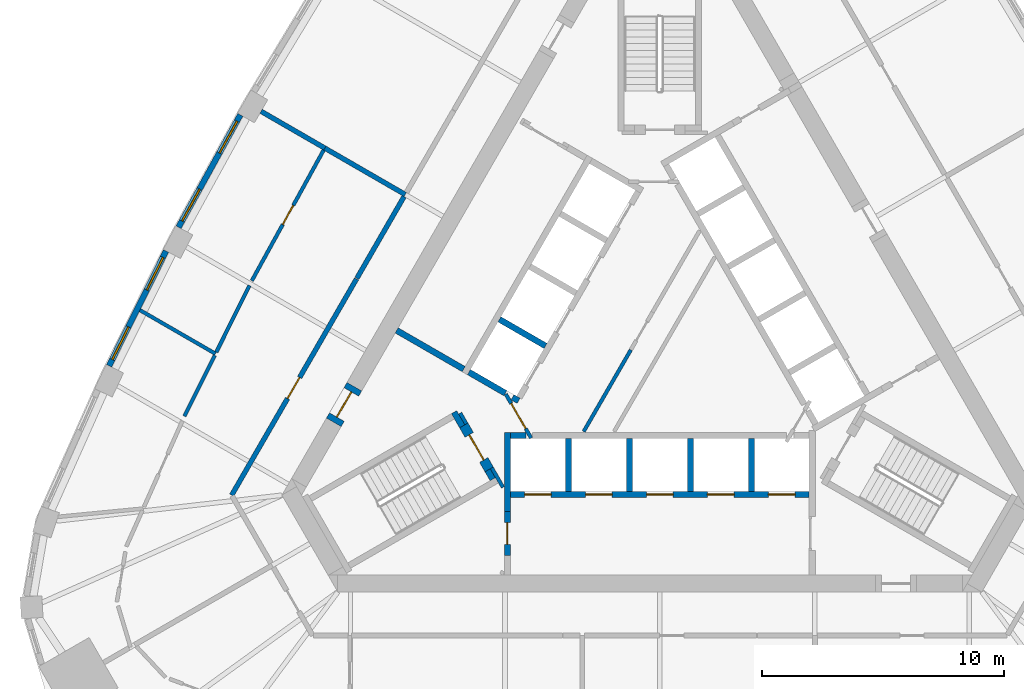
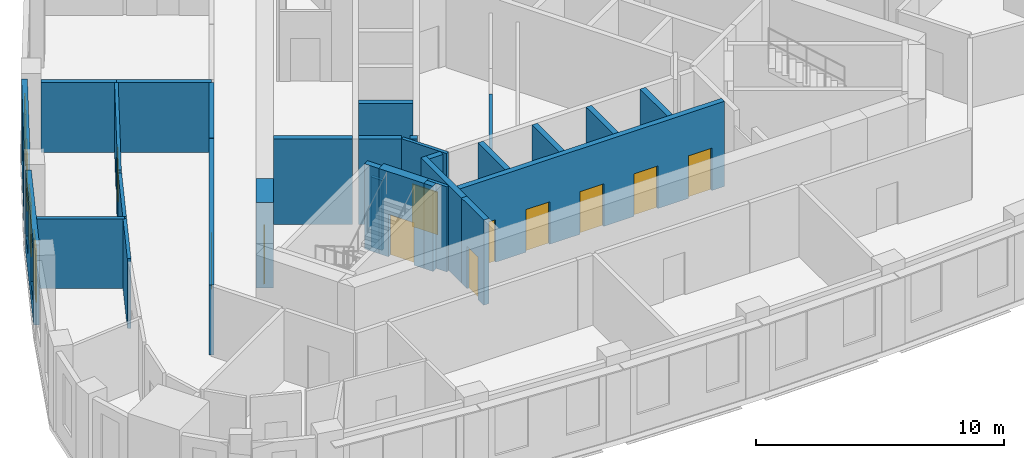
# One storey, part 4 of 10: 30 walls, 11 doors, 4 windows, 15 openings.
"""IFC4 building model written with IfcOpenShell, lengths in metres."""

from ifc_helpers import new_model, si_unit, direction, frame, frame_2d, origin, place, context, subcontext, project, spatial, rectangle, extrude, material, layer, layer_set, type_object, element, fill, save


model = new_model("IFC4")

# Units and contexts
model_context = context("Model", 3, precision=1e-05, world=origin(), true_north=direction((0.0, 1.0)))
body_context = subcontext(model_context, "Body", "Model", "MODEL_VIEW")
ifc_project = project(units=[si_unit("LENGTHUNIT", "METRE"), si_unit("AREAUNIT", "SQUARE_METRE"), si_unit("VOLUMEUNIT", "CUBIC_METRE"), si_unit("PLANEANGLEUNIT", "RADIAN"), si_unit("MASSUNIT", "GRAM", prefix="KILO")], contexts=[model_context])

# Site, building, storey
site_placement = place(None, origin())
site = spatial("IfcSite", under=ifc_project, at=site_placement, CompositionType="ELEMENT")
building_placement = place(site_placement, origin())
building = spatial("IfcBuilding", under=site, at=building_placement, Name="Mestral Congress Tower", CompositionType="ELEMENT")
storey_placement = place(building_placement, frame((0.0, 0.0, 218.39990234375)))
storey = spatial("IfcBuildingStorey", under=building, at=storey_placement, Name="L51", CompositionType="ELEMENT", Elevation=218.39990234375)

# Walls
ifc_material_1 = material(Name="Fire-rated board partition")
ifc_layer_1 = layer(ifc_material_1, 0.14990234375)
ifc_layer_set_1 = layer_set([ifc_layer_1], Name="Fire-rated board partition")
wall_type_1 = type_object("IfcWallType", Name="Core partition 150", PredefinedType="PARTITIONING", material=ifc_layer_set_1)
wall_1_placement = place(storey_placement, frame((-8.251953125, -2.958251953125, 0.0), z_axis=(0.0, 0.0, 1.0), x_axis=(0.500174715838, -0.865924508047, 0.0)))
element("IfcWall", 1, at=wall_1_placement, inside=storey, type_object=wall_type_1, Name="L51 core wall", PredefinedType="PARTITIONING", context=body_context, shape_type="SweptSolid", body=[
    extrude(rectangle(XDim=0.513916015625, YDim=0.14990234375, at=frame_2d((0.2568359375, 0.0))), origin(), (0.0, 0.0, 1.0), 3.4501953125),
])
wall_2_placement = place(storey_placement, frame((-3.146728515625, -3.71826171875, 0.0), z_axis=(0.0, 0.0, 1.0), x_axis=(0.500010131483, 0.866019554291, 0.0)))
element("IfcWall", 2, at=wall_2_placement, inside=storey, type_object=wall_type_1, Name="L51 core wall", PredefinedType="PARTITIONING", context=body_context, shape_type="SweptSolid", body=[
    extrude(rectangle(XDim=3.8935546875, YDim=0.14990234375, at=frame_2d((1.94677734375, 0.0))), origin(), (0.0, 0.0, 1.0), 3.4501953125),
])

# Wall, opening, door
ifc_material_2 = material(Name="Concrete C60/75", Category="concrete")
ifc_layer_2 = layer(ifc_material_2, 0.699951171875)
ifc_layer_set_2 = layer_set([ifc_layer_2], Name="Concrete C60/75")
wall_type_2 = type_object("IfcWallType", Name="Core wall RC 700", PredefinedType="SOLIDWALL", material=ifc_layer_set_2)
wall_3_placement = place(storey_placement, frame((-13.474853515625, -3.339111328125, 0.0), z_axis=(0.0, 0.0, 1.0), x_axis=(0.499954529098, 0.86605165483, 0.0)))
wall_3 = element("IfcWall", 3, at=wall_3_placement, inside=storey, type_object=wall_type_2, Name="L51 door wall", PredefinedType="SOLIDWALL", context=body_context, shape_type="SweptSolid", body=[
    extrude(rectangle(XDim=1.699951171875, YDim=0.699951171875, at=frame_2d((0.85009765625, 0.0))), origin(), (0.0, 0.0, 1.0), 4.2001953125),
])
opening_1_placement = place(wall_3_placement, frame((0.25, 0.0, 0.0)))
opening_1 = element("IfcOpeningElement", 4, at=opening_1_placement, cuts=wall_3, Name="Opening XD3", PredefinedType="OPENING", context=body_context, shape_type="SweptSolid", body=[
    extrude(rectangle(XDim=1.199951171875, YDim=2.10009765625, at=frame_2d((0.60009765625, 1.050048828125))), frame((0.0, 0.35986328125, 0.0), z_axis=(0.0, -1.0, 0.0), x_axis=(1.0, 0.0, 0.0)), (0.0, 0.0, 1.0), 0.719970703125),
])
ifc_material_3 = material(Name="Fire-rated steel door set", Category="steel")
door_type_1 = type_object("IfcDoorType", Name="Core door XD 1200x2100", OperationType="SINGLE_SWING_LEFT", PredefinedType="DOOR", material=ifc_material_3)
door_1_placement = place(opening_1_placement, origin())
door_1 = element("IfcDoor", 5, at=door_1_placement, inside=storey, type_object=door_type_1, Name="Door XD3", OperationType="SINGLE_SWING_LEFT", OverallHeight=2.10009765625, OverallWidth=1.199951171875, PredefinedType="DOOR", context=body_context, shape_type="SweptSolid", body=[
    extrude(rectangle(XDim=1.199951171875, YDim=2.10009765625, at=frame_2d((0.60009765625, 1.050048828125))), frame((0.0, 0.02490234375, 0.0), z_axis=(0.0, -1.0, 0.0), x_axis=(1.0, 0.0, 0.0)), (0.0, 0.0, 1.0), 0.050048828125),
])
fill(opening_1, door_1)

# Wall, openings, windows
ifc_material_4 = material(Name="Precast concrete C40/50 with limestone facing", Category="masonry")
ifc_layer_3 = layer(ifc_material_4, 0.239990234375)
ifc_layer_set_3 = layer_set([ifc_layer_3], Name="Precast concrete C40/50 with limestone facing")
wall_type_3 = type_object("IfcWallType", Name="Facade stone wall 240", PredefinedType="SOLIDWALL", material=ifc_layer_set_3)
wall_4_placement = place(storey_placement, frame((-17.338134765625, 9.367919921875, 0.0), z_axis=(0.0, 0.0, 1.0), x_axis=(-0.481925825015, -0.876212017256, 0.0)))
wall_4 = element("IfcWall", 6, at=wall_4_placement, inside=storey, type_object=wall_type_3, Name="Facade wall F2-03", PredefinedType="SOLIDWALL", context=body_context, shape_type="SweptSolid", body=[
    extrude(rectangle(XDim=5.298583984375, YDim=0.239990234375, at=frame_2d((2.6494140625, 0.0))), origin(), (0.0, 0.0, 1.0), 3.9501953125),
])
opening_2_placement = place(wall_4_placement, frame((0.294677734375, 0.0, 0.89990234375)))
opening_2 = element("IfcOpeningElement", 7, at=opening_2_placement, cuts=wall_4, Name="Opening W4", PredefinedType="OPENING", context=body_context, shape_type="SweptSolid", body=[
    extrude(rectangle(XDim=1.5, YDim=2.550048828125, at=frame_2d((0.75, 1.27490234375))), frame((0.0, 0.1298828125, 0.0), z_axis=(0.0, -1.0, 0.0), x_axis=(1.0, 0.0, 0.0)), (0.0, 0.0, 1.0), 0.260009765625),
])
opening_3_placement = place(wall_4_placement, frame((3.503662109375, 0.0, 0.89990234375)))
opening_3 = element("IfcOpeningElement", 8, at=opening_3_placement, cuts=wall_4, Name="Opening W4", PredefinedType="OPENING", context=body_context, shape_type="SweptSolid", body=[
    extrude(rectangle(XDim=1.5, YDim=2.550048828125, at=frame_2d((0.75, 1.27490234375))), frame((0.0, 0.1298828125, 0.0), z_axis=(0.0, -1.0, 0.0), x_axis=(1.0, 0.0, 0.0)), (0.0, 0.0, 1.0), 0.260009765625),
])
ifc_material_5 = material(Name="Clear low-emissivity double glazing", Category="glass")
window_type = type_object("IfcWindowType", Name="Facade punched window 1500 x 2550 sill 900", PartitioningType="SINGLE_PANEL", PredefinedType="WINDOW", material=ifc_material_5)
window_1_placement = place(opening_2_placement, origin())
window_1 = element("IfcWindow", 9, at=window_1_placement, inside=storey, type_object=window_type, Name="Window F2-03a", OverallHeight=2.550048828125, OverallWidth=1.5, PartitioningType="SINGLE_PANEL", PredefinedType="WINDOW", context=body_context, shape_type="SweptSolid", body=[
    extrude(rectangle(XDim=1.5, YDim=2.550048828125, at=frame_2d((0.75, 1.27490234375))), frame((0.0, 0.0400390625, 0.0), z_axis=(0.0, -1.0, 0.0), x_axis=(1.0, 0.0, 0.0)), (0.0, 0.0, 1.0), 0.06005859375),
])
fill(opening_2, window_1)
window_2_placement = place(opening_3_placement, origin())
window_2 = element("IfcWindow", 10, at=window_2_placement, inside=storey, type_object=window_type, Name="Window F2-03b", OverallHeight=2.550048828125, OverallWidth=1.5, PartitioningType="SINGLE_PANEL", PredefinedType="WINDOW", context=body_context, shape_type="SweptSolid", body=[
    extrude(rectangle(XDim=1.5, YDim=2.550048828125, at=frame_2d((0.75, 1.27490234375))), frame((0.0, 0.0400390625, 0.0), z_axis=(0.0, -1.0, 0.0), x_axis=(1.0, 0.0, 0.0)), (0.0, 0.0, 1.0), 0.06005859375),
])
fill(opening_3, window_2)

wall_5_placement = place(storey_placement, frame((-20.407470703125, 3.739501953125, 0.0), z_axis=(0.0, 0.0, 1.0), x_axis=(-0.445129582031, -0.895466166419, 0.0)))
wall_5 = element("IfcWall", 11, at=wall_5_placement, inside=storey, type_object=wall_type_3, Name="Facade wall F2-04", PredefinedType="SOLIDWALL", context=body_context, shape_type="SweptSolid", body=[
    extrude(rectangle(XDim=5.29833984375, YDim=0.239990234375, at=frame_2d((2.649169921875, 0.0))), origin(), (0.0, 0.0, 1.0), 3.9501953125),
])
opening_4_placement = place(wall_5_placement, frame((0.294677734375, 0.0, 0.89990234375)))
opening_4 = element("IfcOpeningElement", 12, at=opening_4_placement, cuts=wall_5, Name="Opening W4", PredefinedType="OPENING", context=body_context, shape_type="SweptSolid", body=[
    extrude(rectangle(XDim=1.5, YDim=2.550048828125, at=frame_2d((0.75, 1.27490234375))), frame((0.0, 0.1298828125, 0.0), z_axis=(0.0, -1.0, 0.0), x_axis=(1.0, 0.0, 0.0)), (0.0, 0.0, 1.0), 0.260009765625),
])
opening_5_placement = place(wall_5_placement, frame((3.503662109375, 0.0, 0.89990234375)))
opening_5 = element("IfcOpeningElement", 13, at=opening_5_placement, cuts=wall_5, Name="Opening W4", PredefinedType="OPENING", context=body_context, shape_type="SweptSolid", body=[
    extrude(rectangle(XDim=1.5, YDim=2.550048828125, at=frame_2d((0.75, 1.27490234375))), frame((0.0, 0.1298828125, 0.0), z_axis=(0.0, -1.0, 0.0), x_axis=(1.0, 0.0, 0.0)), (0.0, 0.0, 1.0), 0.260009765625),
])
window_3_placement = place(opening_4_placement, origin())
window_3 = element("IfcWindow", 14, at=window_3_placement, inside=storey, type_object=window_type, Name="Window F2-04a", OverallHeight=2.550048828125, OverallWidth=1.5, PartitioningType="SINGLE_PANEL", PredefinedType="WINDOW", context=body_context, shape_type="SweptSolid", body=[
    extrude(rectangle(XDim=1.5, YDim=2.550048828125, at=frame_2d((0.75, 1.27490234375))), frame((0.0, 0.0400390625, 0.0), z_axis=(0.0, -1.0, 0.0), x_axis=(1.0, 0.0, 0.0)), (0.0, 0.0, 1.0), 0.06005859375),
])
fill(opening_4, window_3)
window_4_placement = place(opening_5_placement, origin())
window_4 = element("IfcWindow", 15, at=window_4_placement, inside=storey, type_object=window_type, Name="Window F2-04b", OverallHeight=2.550048828125, OverallWidth=1.5, PartitioningType="SINGLE_PANEL", PredefinedType="WINDOW", context=body_context, shape_type="SweptSolid", body=[
    extrude(rectangle(XDim=1.5, YDim=2.550048828125, at=frame_2d((0.75, 1.27490234375))), frame((0.0, 0.0400390625, 0.0), z_axis=(0.0, -1.0, 0.0), x_axis=(1.0, 0.0, 0.0)), (0.0, 0.0, 1.0), 0.06005859375),
])
fill(opening_5, window_4)

# Wall
ifc_material_6 = material(Name="Plasterboard partition on steel studs", Category="steel")
ifc_layer_4 = layer(ifc_material_6, 0.14990234375)
ifc_layer_set_4 = layer_set([ifc_layer_4], Name="Plasterboard partition on steel studs")
wall_type_4 = type_object("IfcWallType", Name="Office partition 150", PredefinedType="PARTITIONING", material=ifc_layer_set_4)
wall_6_placement = place(storey_placement, frame((-18.36328125, -0.505859375, 0.0), z_axis=(0.0, 0.0, 1.0), x_axis=(-0.866048087663, 0.499960708312, 0.0)))
element("IfcWall", 16, at=wall_6_placement, inside=storey, type_object=wall_type_4, Name="Partition", PredefinedType="PARTITIONING", context=body_context, shape_type="SweptSolid", body=[
    extrude(rectangle(XDim=3.607177734375, YDim=0.14990234375, at=frame_2d((1.8037109375, 0.0))), origin(), (0.0, 0.0, 1.0), 3.4501953125),
])

# Wall, opening, door
wall_7_placement = place(storey_placement, frame((-16.86279296875, 2.5126953125, 0.0), z_axis=(0.0, 0.0, 1.0), x_axis=(0.48192483879, 0.876212559689, 0.0)))
wall_7 = element("IfcWall", 17, at=wall_7_placement, inside=storey, type_object=wall_type_4, Name="Partition", PredefinedType="PARTITIONING", context=body_context, shape_type="SweptSolid", body=[
    extrude(rectangle(XDim=6.15673828125, YDim=0.14990234375, at=frame_2d((3.078369140625, 0.0))), origin(), (0.0, 0.0, 1.0), 3.4501953125),
])
opening_6_placement = place(wall_7_placement, frame((2.65673828125, 0.0, 0.0)))
opening_6 = element("IfcOpeningElement", 18, at=opening_6_placement, cuts=wall_7, Name="Opening O07-013", PredefinedType="OPENING", context=body_context, shape_type="SweptSolid", body=[
    extrude(rectangle(XDim=0.89990234375, YDim=2.10009765625, at=frame_2d((0.449951171875, 1.050048828125))), frame((0.0, 0.0849609375, 0.0), z_axis=(0.0, -1.0, 0.0), x_axis=(1.0, 0.0, 0.0)), (0.0, 0.0, 1.0), 0.169921875),
])
ifc_material_7 = material(Name="Timber door set", Category="wood")
door_type_2 = type_object("IfcDoorType", Name="Office door 900x2100", OperationType="SINGLE_SWING_LEFT", PredefinedType="DOOR", material=ifc_material_7)
door_2_placement = place(opening_6_placement, origin())
door_2 = element("IfcDoor", 19, at=door_2_placement, inside=storey, type_object=door_type_2, Name="Door O07-013", OperationType="SINGLE_SWING_RIGHT", OverallHeight=2.10009765625, OverallWidth=0.89990234375, PredefinedType="DOOR", context=body_context, shape_type="SweptSolid", body=[
    extrude(rectangle(XDim=0.89990234375, YDim=2.10009765625, at=frame_2d((0.449951171875, 1.050048828125))), frame((0.0, 0.02490234375, 0.0), z_axis=(0.0, -1.0, 0.0), x_axis=(1.0, 0.0, 0.0)), (0.0, 0.0, 1.0), 0.050048828125),
])
fill(opening_6, door_2)

# Walls
wall_8_placement = place(storey_placement, frame((-16.958251953125, 2.32080078125, 0.0), z_axis=(0.0, 0.0, 1.0), x_axis=(-0.445184199442, -0.895439014432, 0.0)))
element("IfcWall", 20, at=wall_8_placement, inside=storey, type_object=wall_type_4, Name="Partition", PredefinedType="PARTITIONING", context=body_context, shape_type="SweptSolid", body=[
    extrude(rectangle(XDim=3.08154296875, YDim=0.14990234375, at=frame_2d((1.540771484375, 0.0))), origin(), (0.0, 0.0, 1.0), 3.4501953125),
])
wall_9_placement = place(storey_placement, frame((-18.39697265625, -0.572998046875, 0.0), z_axis=(0.0, 0.0, 1.0), x_axis=(-0.445162501923, -0.89544980143, 0.0)))
element("IfcWall", 21, at=wall_9_placement, inside=storey, type_object=wall_type_4, Name="Partition", PredefinedType="PARTITIONING", context=body_context, shape_type="SweptSolid", body=[
    extrude(rectangle(XDim=2.810791015625, YDim=0.14990234375, at=frame_2d((1.4052734375, 0.0))), origin(), (0.0, 0.0, 1.0), 3.4501953125),
])
ifc_material_8 = material(Name="Dense masonry wall, plastered", Category="masonry")
ifc_layer_5 = layer(ifc_material_8, 0.199951171875)
ifc_layer_set_5 = layer_set([ifc_layer_5], Name="Dense masonry wall, plastered")
wall_type_5 = type_object("IfcWallType", Name="Office tenancy wall 200", PredefinedType="PARTITIONING", material=ifc_layer_set_5)
wall_10_placement = place(storey_placement, frame((-13.84423828125, 7.992919921875, 0.0), z_axis=(0.0, 0.0, 1.0), x_axis=(-0.866003976688, 0.500037110984, 0.0)))
element("IfcWall", 22, at=wall_10_placement, inside=storey, type_object=wall_type_5, Name="Tenancy wall", PredefinedType="PARTITIONING", context=body_context, shape_type="SweptSolid", body=[
    extrude(rectangle(XDim=3.044677734375, YDim=0.199951171875, at=frame_2d((1.5224609375, 0.0))), origin(), (0.0, 0.0, 1.0), 3.4501953125),
])
wall_11_placement = place(storey_placement, frame((-10.522216796875, 6.074951171875, 0.0), z_axis=(0.0, 0.0, 1.0), x_axis=(-0.866002601515, 0.500039492609, 0.0)))
element("IfcWall", 23, at=wall_11_placement, inside=storey, type_object=wall_type_5, Name="Tenancy wall", PredefinedType="PARTITIONING", context=body_context, shape_type="SweptSolid", body=[
    extrude(rectangle(XDim=3.843994140625, YDim=0.199951171875, at=frame_2d((1.921875, 0.0))), origin(), (0.0, 0.0, 1.0), 3.4501953125),
])
wall_12_placement = place(storey_placement, frame((-10.572265625, 5.98828125, 0.0), z_axis=(0.0, 0.0, 1.0), x_axis=(-0.499997012787, -0.866027128446, 0.0)))
element("IfcWall", 24, at=wall_12_placement, inside=storey, type_object=wall_type_5, Name="Tenancy wall", PredefinedType="PARTITIONING", context=body_context, shape_type="SweptSolid", body=[
    extrude(rectangle(XDim=3.89990234375, YDim=0.199951171875, at=frame_2d((1.949951171875, 0.0))), origin(), (0.0, 0.0, 1.0), 3.4501953125),
])

# Wall, opening, door
wall_13_placement = place(storey_placement, frame((-12.537109375, 2.5849609375, 0.0), z_axis=(0.0, 0.0, 1.0), x_axis=(-0.500002393198, -0.866024022066, 0.0)))
wall_13 = element("IfcWall", 25, at=wall_13_placement, inside=storey, type_object=wall_type_5, Name="Tenancy wall", PredefinedType="PARTITIONING", context=body_context, shape_type="SweptSolid", body=[
    extrude(rectangle(XDim=10.3173828125, YDim=0.199951171875, at=frame_2d((5.15869140625, 0.0))), origin(), (0.0, 0.0, 1.0), 3.4501953125),
])
opening_7_placement = place(wall_13_placement, frame((4.699951171875, 0.0, 0.0)))
opening_7 = element("IfcOpeningElement", 26, at=opening_7_placement, cuts=wall_13, Name="Opening O07-016", PredefinedType="OPENING", context=body_context, shape_type="SweptSolid", body=[
    extrude(rectangle(XDim=1.0, YDim=2.10009765625, at=frame_2d((0.5, 1.050048828125))), frame((0.0, 0.10986328125, 0.0), z_axis=(0.0, -1.0, 0.0), x_axis=(1.0, 0.0, 0.0)), (0.0, 0.0, 1.0), 0.219970703125),
])
ifc_material_9 = material(Name="Fire-rated timber door set", Category="wood")
door_type_3 = type_object("IfcDoorType", Name="Office tenancy entrance door 1000x2100", OperationType="SINGLE_SWING_LEFT", PredefinedType="DOOR", material=ifc_material_9)
door_3_placement = place(opening_7_placement, origin())
door_3 = element("IfcDoor", 27, at=door_3_placement, inside=storey, type_object=door_type_3, Name="Door O07-016", OperationType="SINGLE_SWING_RIGHT", OverallHeight=2.10009765625, OverallWidth=1.0, PredefinedType="DOOR", context=body_context, shape_type="SweptSolid", body=[
    extrude(rectangle(XDim=1.0, YDim=2.10009765625, at=frame_2d((0.5, 1.050048828125))), frame((0.0, 0.02490234375, 0.0), z_axis=(0.0, -1.0, 0.0), x_axis=(1.0, 0.0, 0.0)), (0.0, 0.0, 1.0), 0.050048828125),
])
fill(opening_7, door_3)

# Walls
ifc_layer_6 = layer(ifc_material_2, 0.25)
ifc_layer_set_6 = layer_set([ifc_layer_6], Name="Concrete C60/75")
wall_type_6 = type_object("IfcWallType", Name="Shaft wall RC 250", PredefinedType="SOLIDWALL", material=ifc_layer_set_6)
for number, where, z_axis, x_axis, name in (
    (28, (3.780029296875, -4.0, 0.0), (0.0, 0.0, 1.0), (0.0, -1.0, 0.0), "L51 core wall"),
    (29, (1.260009765625, -4.0, 0.0), (0.0, 0.0, 1.0), (0.0, -1.0, 0.0), "L51 core wall"),
    (30, (-1.260009765625, -4.0, 0.0), (0.0, 0.0, 1.0), (0.0, -1.0, 0.0), "L51 core wall"),
    (31, (-3.780029296875, -4.0, 0.0), (0.0, 0.0, 1.0), (0.0, -1.0, 0.0), "L51 core wall"),
):
    element("IfcWall", number, at=place(storey_placement, frame(where, z_axis=z_axis, x_axis=x_axis)), inside=storey, type_object=wall_type_6, Name=name, PredefinedType="SOLIDWALL", context=body_context, shape_type="SweptSolid", body=[
        extrude(rectangle(XDim=2.199951171875, YDim=0.25, at=frame_2d((1.10009765625, 0.0))), origin(), (0.0, 0.0, 1.0), 4.2001953125),
    ])
wall_14_placement = place(storey_placement, frame((-6.300048828125, -7.033447265625, 0.0), z_axis=(0.0, 0.0, 1.0), x_axis=(0.0, 1.0, 0.0)))
element("IfcWall", 32, at=wall_14_placement, inside=storey, type_object=wall_type_6, Name="L51 core wall", PredefinedType="SOLIDWALL", context=body_context, shape_type="SweptSolid", body=[
    extrude(rectangle(XDim=3.283447265625, YDim=0.25, at=frame_2d((1.6416015625, 0.0))), origin(), (0.0, 0.0, 1.0), 4.2001953125),
])
wall_15_placement = place(storey_placement, frame((-6.175048828125, -3.875, 0.0), z_axis=(0.0, 0.0, 1.0), x_axis=(1.0, 0.0, 0.0)))
element("IfcWall", 33, at=wall_15_placement, inside=storey, type_object=wall_type_6, Name="L51 core wall", PredefinedType="SOLIDWALL", context=body_context, shape_type="SweptSolid", body=[
    extrude(rectangle(XDim=0.63671875, YDim=0.25, at=frame_2d((0.318359375, 0.0))), origin(), (0.0, 0.0, 1.0), 4.2001953125),
])
wall_16_placement = place(storey_placement, frame((-4.72412109375, -0.182373046875, 0.0), z_axis=(0.0, 0.0, 1.0), x_axis=(-0.866008176907, 0.50002983664, 0.0)))
element("IfcWall", 34, at=wall_16_placement, inside=storey, type_object=wall_type_6, Name="L51 core wall", PredefinedType="SOLIDWALL", context=body_context, shape_type="SweptSolid", body=[
    extrude(rectangle(XDim=2.199951171875, YDim=0.25, at=frame_2d((1.10009765625, 0.0))), origin(), (0.0, 0.0, 1.0), 4.2001953125),
])
wall_17_placement = place(storey_placement, frame((-6.088134765625, -2.3046875, 0.0), z_axis=(0.0, 0.0, 1.0), x_axis=(0.866059450854, -0.499941024108, 0.0)))
element("IfcWall", 35, at=wall_17_placement, inside=storey, type_object=wall_type_6, Name="L51 core wall", PredefinedType="SOLIDWALL", context=body_context, shape_type="SweptSolid", body=[
    extrude(rectangle(XDim=0.2900390625, YDim=0.25, at=frame_2d((0.14501953125, 0.0))), origin(), (0.0, 0.0, 1.0), 4.2001953125),
])
wall_18_placement = place(storey_placement, frame((-7.889404296875, -1.2646484375, 0.0), z_axis=(0.0, 0.0, 1.0), x_axis=(0.865986741702, -0.500066958712, 0.0)))
element("IfcWall", 36, at=wall_18_placement, inside=storey, type_object=wall_type_6, Name="L51 core wall", PredefinedType="SOLIDWALL", context=body_context, shape_type="SweptSolid", body=[
    extrude(rectangle(XDim=1.738037109375, YDim=0.25, at=frame_2d((0.869140625, 0.0))), origin(), (0.0, 0.0, 1.0), 4.2001953125),
])
wall_19_placement = place(storey_placement, frame((-8.10595703125, -1.139892578125, 0.0), z_axis=(0.0, 0.0, 1.0), x_axis=(-0.866008981251, 0.500028443584, 0.0)))
element("IfcWall", 37, at=wall_19_placement, inside=storey, type_object=wall_type_6, Name="L51 core wall", PredefinedType="SOLIDWALL", context=body_context, shape_type="SweptSolid", body=[
    extrude(rectangle(XDim=3.199951171875, YDim=0.25, at=frame_2d((1.60009765625, 0.0))), origin(), (0.0, 0.0, 1.0), 4.2001953125),
])

# Wall, openings, doors
wall_20_placement = place(storey_placement, frame((-6.175048828125, -6.324951171875, 0.0), z_axis=(0.0, 0.0, 1.0), x_axis=(1.0, 0.0, 0.0)))
wall_20 = element("IfcWall", 38, at=wall_20_placement, inside=storey, type_object=wall_type_6, Name="L51 door wall", PredefinedType="SOLIDWALL", context=body_context, shape_type="SweptSolid", body=[
    extrude(rectangle(XDim=12.35009765625, YDim=0.25, at=frame_2d((6.175048828125, 0.0))), origin(), (0.0, 0.0, 1.0), 4.2001953125),
])
opening_8_placement = place(wall_20_placement, frame((0.5849609375, 0.0, 0.0)))
opening_8 = element("IfcOpeningElement", 39, at=opening_8_placement, cuts=wall_20, Name="Opening LD-SOB1", PredefinedType="OPENING", context=body_context, shape_type="SweptSolid", body=[
    extrude(rectangle(XDim=1.10009765625, YDim=2.10009765625, at=frame_2d((0.550048828125, 1.050048828125))), frame((0.0, 0.135009765625, 0.0), z_axis=(0.0, -1.0, 0.0), x_axis=(1.0, 0.0, 0.0)), (0.0, 0.0, 1.0), 0.27001953125),
])
opening_9_placement = place(wall_20_placement, frame((3.10498046875, 0.0, 0.0)))
opening_9 = element("IfcOpeningElement", 40, at=opening_9_placement, cuts=wall_20, Name="Opening LD-SOB2", PredefinedType="OPENING", context=body_context, shape_type="SweptSolid", body=[
    extrude(rectangle(XDim=1.10009765625, YDim=2.10009765625, at=frame_2d((0.550048828125, 1.050048828125))), frame((0.0, 0.135009765625, 0.0), z_axis=(0.0, -1.0, 0.0), x_axis=(1.0, 0.0, 0.0)), (0.0, 0.0, 1.0), 0.27001953125),
])
opening_10_placement = place(wall_20_placement, frame((5.625, 0.0, 0.0)))
opening_10 = element("IfcOpeningElement", 41, at=opening_10_placement, cuts=wall_20, Name="Opening LD-SOB3", PredefinedType="OPENING", context=body_context, shape_type="SweptSolid", body=[
    extrude(rectangle(XDim=1.10009765625, YDim=2.10009765625, at=frame_2d((0.550048828125, 1.050048828125))), frame((0.0, 0.135009765625, 0.0), z_axis=(0.0, -1.0, 0.0), x_axis=(1.0, 0.0, 0.0)), (0.0, 0.0, 1.0), 0.27001953125),
])
opening_11_placement = place(wall_20_placement, frame((8.14501953125, 0.0, 0.0)))
opening_11 = element("IfcOpeningElement", 42, at=opening_11_placement, cuts=wall_20, Name="Opening LD-SOB4", PredefinedType="OPENING", context=body_context, shape_type="SweptSolid", body=[
    extrude(rectangle(XDim=1.10009765625, YDim=2.10009765625, at=frame_2d((0.550048828125, 1.050048828125))), frame((0.0, 0.135009765625, 0.0), z_axis=(0.0, -1.0, 0.0), x_axis=(1.0, 0.0, 0.0)), (0.0, 0.0, 1.0), 0.27001953125),
])
opening_12_placement = place(wall_20_placement, frame((10.6650390625, 0.0, 0.0)))
opening_12 = element("IfcOpeningElement", 43, at=opening_12_placement, cuts=wall_20, Name="Opening LD-SOB5", PredefinedType="OPENING", context=body_context, shape_type="SweptSolid", body=[
    extrude(rectangle(XDim=1.10009765625, YDim=2.10009765625, at=frame_2d((0.550048828125, 1.050048828125))), frame((0.0, 0.135009765625, 0.0), z_axis=(0.0, -1.0, 0.0), x_axis=(1.0, 0.0, 0.0)), (0.0, 0.0, 1.0), 0.27001953125),
])
door_type_4 = type_object("IfcDoorType", Name="Core door LD 1100x2100", OperationType="DOUBLE_DOOR_SLIDING", PredefinedType="DOOR", material=ifc_material_3)
door_4_placement = place(opening_8_placement, origin())
door_4 = element("IfcDoor", 44, at=door_4_placement, inside=storey, type_object=door_type_4, Name="Door LD-SOB1", OperationType="DOUBLE_DOOR_SLIDING", OverallHeight=2.10009765625, OverallWidth=1.10009765625, PredefinedType="DOOR", context=body_context, shape_type="SweptSolid", body=[
    extrude(rectangle(XDim=1.10009765625, YDim=2.10009765625, at=frame_2d((0.550048828125, 1.050048828125))), frame((0.0, 0.02490234375, 0.0), z_axis=(0.0, -1.0, 0.0), x_axis=(1.0, 0.0, 0.0)), (0.0, 0.0, 1.0), 0.050048828125),
])
fill(opening_8, door_4)
door_5_placement = place(opening_9_placement, origin())
door_5 = element("IfcDoor", 45, at=door_5_placement, inside=storey, type_object=door_type_4, Name="Door LD-SOB2", OperationType="DOUBLE_DOOR_SLIDING", OverallHeight=2.10009765625, OverallWidth=1.10009765625, PredefinedType="DOOR", context=body_context, shape_type="SweptSolid", body=[
    extrude(rectangle(XDim=1.10009765625, YDim=2.10009765625, at=frame_2d((0.550048828125, 1.050048828125))), frame((0.0, 0.02490234375, 0.0), z_axis=(0.0, -1.0, 0.0), x_axis=(1.0, 0.0, 0.0)), (0.0, 0.0, 1.0), 0.050048828125),
])
fill(opening_9, door_5)
door_6_placement = place(opening_10_placement, origin())
door_6 = element("IfcDoor", 46, at=door_6_placement, inside=storey, type_object=door_type_4, Name="Door LD-SOB3", OperationType="DOUBLE_DOOR_SLIDING", OverallHeight=2.10009765625, OverallWidth=1.10009765625, PredefinedType="DOOR", context=body_context, shape_type="SweptSolid", body=[
    extrude(rectangle(XDim=1.10009765625, YDim=2.10009765625, at=frame_2d((0.550048828125, 1.050048828125))), frame((0.0, 0.02490234375, 0.0), z_axis=(0.0, -1.0, 0.0), x_axis=(1.0, 0.0, 0.0)), (0.0, 0.0, 1.0), 0.050048828125),
])
fill(opening_10, door_6)
door_7_placement = place(opening_11_placement, origin())
door_7 = element("IfcDoor", 47, at=door_7_placement, inside=storey, type_object=door_type_4, Name="Door LD-SOB4", OperationType="DOUBLE_DOOR_SLIDING", OverallHeight=2.10009765625, OverallWidth=1.10009765625, PredefinedType="DOOR", context=body_context, shape_type="SweptSolid", body=[
    extrude(rectangle(XDim=1.10009765625, YDim=2.10009765625, at=frame_2d((0.550048828125, 1.050048828125))), frame((0.0, 0.02490234375, 0.0), z_axis=(0.0, -1.0, 0.0), x_axis=(1.0, 0.0, 0.0)), (0.0, 0.0, 1.0), 0.050048828125),
])
fill(opening_11, door_7)
door_8_placement = place(opening_12_placement, origin())
door_8 = element("IfcDoor", 48, at=door_8_placement, inside=storey, type_object=door_type_4, Name="Door LD-SOB5", OperationType="DOUBLE_DOOR_SLIDING", OverallHeight=2.10009765625, OverallWidth=1.10009765625, PredefinedType="DOOR", context=body_context, shape_type="SweptSolid", body=[
    extrude(rectangle(XDim=1.10009765625, YDim=2.10009765625, at=frame_2d((0.550048828125, 1.050048828125))), frame((0.0, 0.02490234375, 0.0), z_axis=(0.0, -1.0, 0.0), x_axis=(1.0, 0.0, 0.0)), (0.0, 0.0, 1.0), 0.050048828125),
])
fill(opening_12, door_8)

# Wall, opening, door
wall_21_placement = place(storey_placement, frame((-6.300048828125, -7.03369140625, 0.0), z_axis=(0.0, 0.0, 1.0), x_axis=(0.0, -1.0, 0.0)))
wall_21 = element("IfcWall", 49, at=wall_21_placement, inside=storey, type_object=wall_type_6, Name="L51 door wall", PredefinedType="SOLIDWALL", context=body_context, shape_type="SweptSolid", body=[
    extrude(rectangle(XDim=1.7998046875, YDim=0.25, at=frame_2d((0.89990234375, 0.0))), origin(), (0.0, 0.0, 1.0), 4.2001953125),
])
opening_13_placement = place(wall_21_placement, frame((0.449951171875, 0.0, 0.0)))
opening_13 = element("IfcOpeningElement", 50, at=opening_13_placement, cuts=wall_21, Name="Opening TD3", PredefinedType="OPENING", context=body_context, shape_type="SweptSolid", body=[
    extrude(rectangle(XDim=0.89990234375, YDim=2.10009765625, at=frame_2d((0.449951171875, 1.050048828125))), frame((0.0, 0.135009765625, 0.0), z_axis=(0.0, -1.0, 0.0), x_axis=(1.0, 0.0, 0.0)), (0.0, 0.0, 1.0), 0.27001953125),
])
door_type_5 = type_object("IfcDoorType", Name="Core door SR 900x2100", OperationType="SINGLE_SWING_LEFT", PredefinedType="DOOR", material=ifc_material_3)
door_9_placement = place(opening_13_placement, origin())
door_9 = element("IfcDoor", 51, at=door_9_placement, inside=storey, type_object=door_type_5, Name="Door TD3", OperationType="SINGLE_SWING_LEFT", OverallHeight=2.10009765625, OverallWidth=0.89990234375, PredefinedType="DOOR", context=body_context, shape_type="SweptSolid", body=[
    extrude(rectangle(XDim=0.89990234375, YDim=2.10009765625, at=frame_2d((0.449951171875, 1.050048828125))), frame((0.0, 0.02490234375, 0.0), z_axis=(0.0, -1.0, 0.0), x_axis=(1.0, 0.0, 0.0)), (0.0, 0.0, 1.0), 0.050048828125),
])
fill(opening_13, door_9)

# Wall
ifc_layer_7 = layer(ifc_material_2, 0.14990234375)
ifc_layer_set_7 = layer_set([ifc_layer_7], Name="Concrete C60/75")
wall_type_7 = type_object("IfcWallType", Name="Shaft wall RC 250 door-wall 150", PredefinedType="SOLIDWALL", material=ifc_layer_set_7)
wall_22_placement = place(storey_placement, frame((-6.48046875, -6.026611328125, 0.0), z_axis=(0.0, 0.0, 1.0), x_axis=(-0.499927229454, 0.866067413802, 0.0)))
element("IfcWall", 52, at=wall_22_placement, inside=storey, type_object=wall_type_7, Name="L51 core wall", PredefinedType="PARTITIONING", context=body_context, shape_type="SweptSolid", body=[
    extrude(rectangle(XDim=0.928955078125, YDim=0.14990234375, at=frame_2d((0.46435546875, 0.0))), origin(), (0.0, 0.0, 1.0), 4.2001953125),
])

# Wall, opening, door
wall_23_placement = place(storey_placement, frame((-5.3173828125, -3.98974609375, 0.0), z_axis=(0.0, 0.0, 1.0), x_axis=(-0.500027713859, 0.866009402589, 0.0)))
wall_23 = element("IfcWall", 53, at=wall_23_placement, inside=storey, type_object=wall_type_7, Name="L51 door wall", PredefinedType="PARTITIONING", context=body_context, shape_type="SweptSolid", body=[
    extrude(rectangle(XDim=2.10009765625, YDim=0.14990234375, at=frame_2d((1.050048828125, 0.0))), origin(), (0.0, 0.0, 1.0), 4.2001953125),
])
opening_14_placement = place(wall_23_placement, frame((0.449951171875, 0.0, 0.0)))
opening_14 = element("IfcOpeningElement", 54, at=opening_14_placement, cuts=wall_23, Name="Opening CD3-FF", PredefinedType="OPENING", context=body_context, shape_type="SweptSolid", body=[
    extrude(rectangle(XDim=1.199951171875, YDim=2.10009765625, at=frame_2d((0.60009765625, 1.050048828125))), frame((0.0, 0.0849609375, 0.0), z_axis=(0.0, -1.0, 0.0), x_axis=(1.0, 0.0, 0.0)), (0.0, 0.0, 1.0), 0.169921875),
])
door_type_6 = type_object("IfcDoorType", Name="Core door CD 1200x2100", OperationType="SINGLE_SWING_LEFT", PredefinedType="DOOR", material=ifc_material_3)
door_10_placement = place(opening_14_placement, origin())
door_10 = element("IfcDoor", 55, at=door_10_placement, inside=storey, type_object=door_type_6, Name="Door CD3-FF", OperationType="SINGLE_SWING_LEFT", OverallHeight=2.10009765625, OverallWidth=1.199951171875, PredefinedType="DOOR", context=body_context, shape_type="SweptSolid", body=[
    extrude(rectangle(XDim=1.199951171875, YDim=2.10009765625, at=frame_2d((0.60009765625, 1.050048828125))), frame((0.0, 0.02490234375, 0.0), z_axis=(0.0, -1.0, 0.0), x_axis=(1.0, 0.0, 0.0)), (0.0, 0.0, 1.0), 0.050048828125),
])
fill(opening_14, door_10)

# Walls
ifc_layer_8 = layer(ifc_material_2, 0.25)
ifc_layer_set_8 = layer_set([ifc_layer_8], Name="Concrete C60/75")
wall_type_8 = type_object("IfcWallType", Name="Stair wall RC 250", PredefinedType="SOLIDWALL", material=ifc_layer_set_8)
wall_24_placement = place(storey_placement, frame((-8.167724609375, -3.503173828125, 0.0), z_axis=(0.0, 0.0, 1.0), x_axis=(-0.499952099219, 0.866053057547, 0.0)))
element("IfcWall", 56, at=wall_24_placement, inside=storey, type_object=wall_type_8, Name="L51 core wall", PredefinedType="SOLIDWALL", context=body_context, shape_type="SweptSolid", body=[
    extrude(rectangle(XDim=0.6748046875, YDim=0.25, at=frame_2d((0.33740234375, 0.0))), origin(), (0.0, 0.0, 1.0), 4.2001953125),
])
wall_25_placement = place(storey_placement, frame((-6.905029296875, -5.68994140625, 0.0), z_axis=(0.0, 0.0, 1.0), x_axis=(-0.500402024738, 0.865793170242, 0.0)))
element("IfcWall", 57, at=wall_25_placement, inside=storey, type_object=wall_type_8, Name="L51 core wall", PredefinedType="SOLIDWALL", context=body_context, shape_type="SweptSolid", body=[
    extrude(rectangle(XDim=0.425048828125, YDim=0.25, at=frame_2d((0.21240234375, 0.0))), origin(), (0.0, 0.0, 1.0), 4.2001953125),
])

# Wall, opening, door
ifc_layer_9 = layer(ifc_material_2, 0.39990234375)
ifc_layer_set_9 = layer_set([ifc_layer_9], Name="Concrete C60/75")
wall_type_9 = type_object("IfcWallType", Name="Stair wall RC 250 door-wall 400", PredefinedType="SOLIDWALL", material=ifc_layer_set_9)
wall_26_placement = place(storey_placement, frame((-8.102783203125, -3.4658203125, 0.0), z_axis=(0.0, 0.0, 1.0), x_axis=(0.500078061341, -0.865980330357, 0.0)))
wall_26 = element("IfcWall", 58, at=wall_26_placement, inside=storey, type_object=wall_type_9, Name="L51 door wall", PredefinedType="SOLIDWALL", context=body_context, shape_type="SweptSolid", body=[
    extrude(rectangle(XDim=2.099853515625, YDim=0.39990234375, at=frame_2d((1.0498046875, 0.0))), origin(), (0.0, 0.0, 1.0), 4.2001953125),
])
opening_15_placement = place(wall_26_placement, frame((0.449951171875, 0.0, 0.0)))
opening_15 = element("IfcOpeningElement", 59, at=opening_15_placement, cuts=wall_26, Name="Opening ST-D3", PredefinedType="OPENING", context=body_context, shape_type="SweptSolid", body=[
    extrude(rectangle(XDim=1.199951171875, YDim=2.10009765625, at=frame_2d((0.60009765625, 1.050048828125))), frame((0.0, 0.2099609375, 0.0), z_axis=(0.0, -1.0, 0.0), x_axis=(1.0, 0.0, 0.0)), (0.0, 0.0, 1.0), 0.419921875),
])
door_type_7 = type_object("IfcDoorType", Name="Core door ST 1200x2100", OperationType="SINGLE_SWING_LEFT", PredefinedType="DOOR", material=ifc_material_3)
door_11_placement = place(opening_15_placement, origin())
door_11 = element("IfcDoor", 60, at=door_11_placement, inside=storey, type_object=door_type_7, Name="Door ST-D3", OperationType="SINGLE_SWING_LEFT", OverallHeight=2.10009765625, OverallWidth=1.199951171875, PredefinedType="DOOR", context=body_context, shape_type="SweptSolid", body=[
    extrude(rectangle(XDim=1.199951171875, YDim=2.10009765625, at=frame_2d((0.60009765625, 1.050048828125))), frame((0.0, 0.02490234375, 0.0), z_axis=(0.0, -1.0, 0.0), x_axis=(1.0, 0.0, 0.0)), (0.0, 0.0, 1.0), 0.050048828125),
])
fill(opening_15, door_11)

save(model, "model.ifc")
